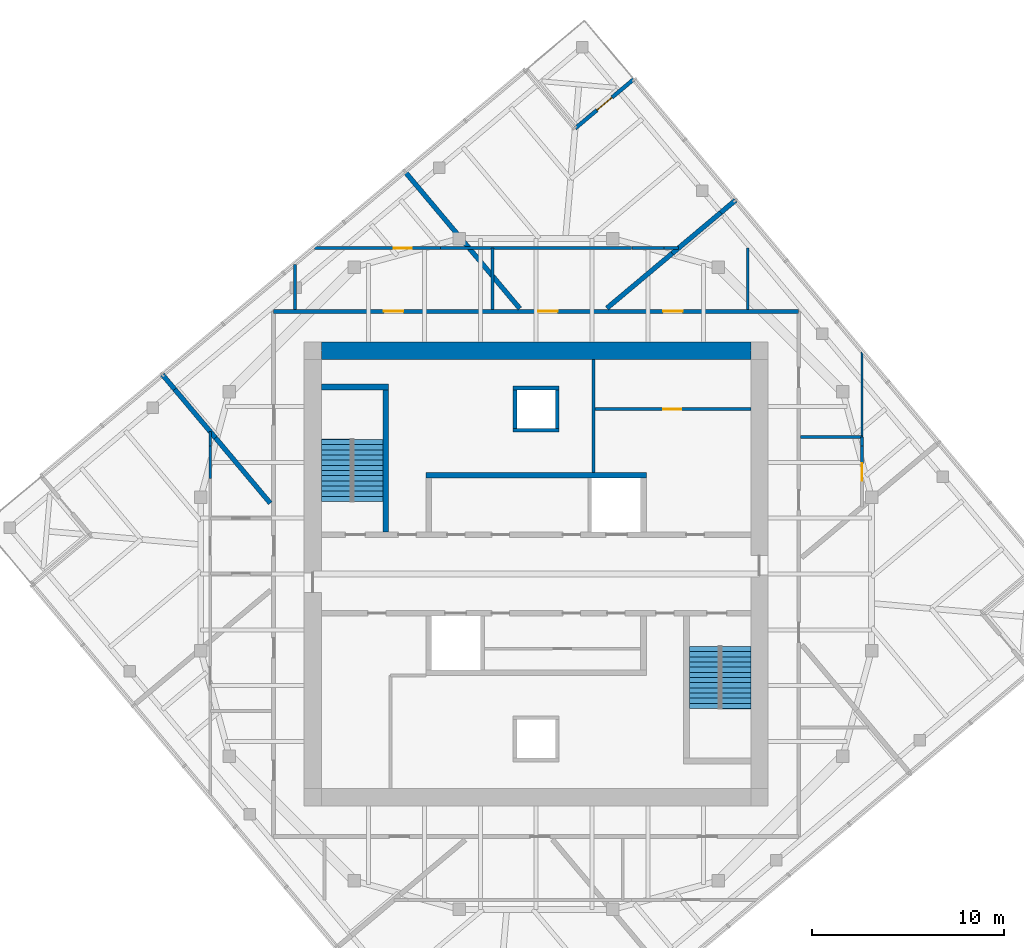
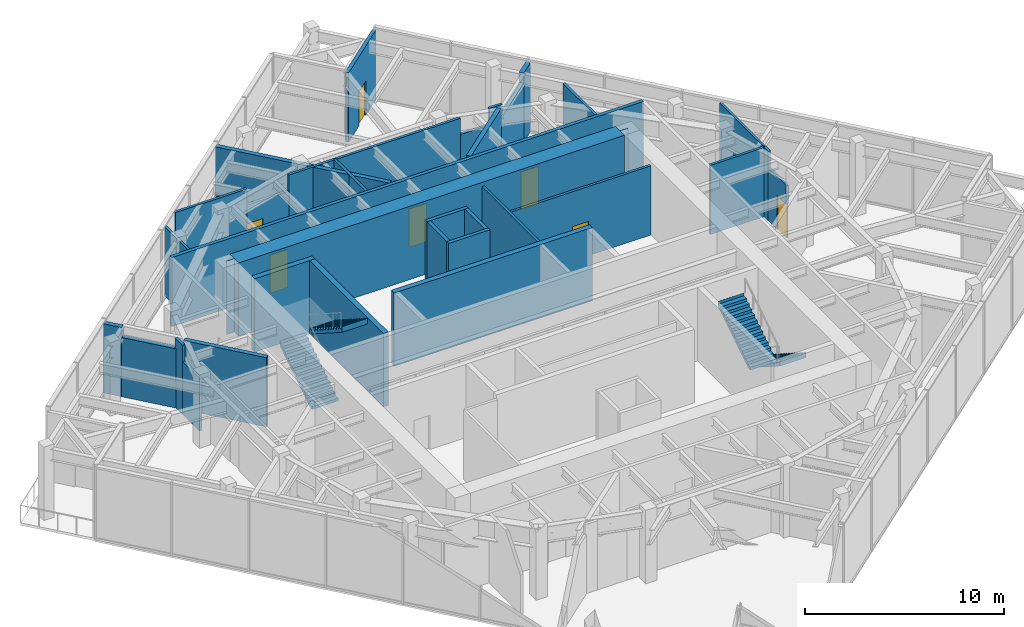
# One storey, part 10 of 11: 33 walls, 7 doors, 4 stair flights, 7 openings, 2 elements without a shape of their own.
"""IFC4 building model written with IfcOpenShell, lengths in metres."""

import ifcopenshell
import ifcopenshell.guid

model = None  # the IFC model being written
_history = None  # IfcOwnerHistory: only IFC2X3 demands one
_inside = {}  # id of a spatial element -> (the spatial element, [elements in it])
_under = {}  # id of a project, library or spatial element -> (it, [spatial elements below it])
_declared = {}  # id of a project -> (the project, [libraries it declares])
_typed = {}  # id of a type object -> (the type object, [elements of that type])
_made_of = {}  # id of a material, layer set ... -> (it, [elements and type objects made of it])


def new_model(schema):
    """Start an empty IFC model of exactly this schema.

    Asked for "IFC4X3", IfcOpenShell would pick the latest addendum, in which some entities
    have other attributes; the version numbers below select the first issue.
    IFC2X3 requires an IfcOwnerHistory on every rooted entity: one is made here for all.
    """
    global model, _history
    if schema == "IFC4X3":
        model = ifcopenshell.file(schema_version=(4, 3, 0, 0))
    else:
        model = ifcopenshell.file(schema=schema)
    _inside.clear()
    _under.clear()
    _declared.clear()
    _typed.clear()
    _made_of.clear()
    _history = None
    if model.schema == "IFC2X3":
        org = make("IfcOrganization", Name="unknown")
        user = make(
            "IfcPersonAndOrganization",
            ThePerson=make("IfcPerson", FamilyName="unknown"),
            TheOrganization=org,
        )
        app = make(
            "IfcApplication",
            ApplicationDeveloper=org,
            Version="unknown",
            ApplicationFullName="unknown",
            ApplicationIdentifier="unknown",
        )
        _history = make(
            "IfcOwnerHistory",
            OwningUser=user,
            OwningApplication=app,
            ChangeAction="ADDED",
            CreationDate=0,
        )
    return model


def make(cls, **values):
    """One entity of the class cls with the attributes given. An attribute that is None is left unset."""
    return model.create_entity(
        cls, **{name: value for name, value in values.items() if value is not None}
    )


def rooted(cls, **values):
    """An entity with a GlobalId (a new one), such as an element, a storey or a relation."""
    return make(cls, GlobalId=ifcopenshell.guid.new(), OwnerHistory=_history, **values)


def si_unit(unit_type, name, prefix=None):
    """IfcSIUnit, for example si_unit("LENGTHUNIT", "METRE", prefix="MILLI")."""
    return make("IfcSIUnit", UnitType=unit_type, Prefix=prefix, Name=name)


def assignment(units):
    """IfcUnitAssignment: the units of a project."""
    return None if units is None else make("IfcUnitAssignment", Units=units)


def point(xyz):
    """IfcCartesianPoint."""
    return None if xyz is None else make("IfcCartesianPoint", Coordinates=xyz)


def direction(xyz):
    """IfcDirection."""
    return None if xyz is None else make("IfcDirection", DirectionRatios=xyz)


def frame(location, z_axis=None, x_axis=None):
    """IfcAxis2Placement3D, a coordinate frame: its origin and axes. An axis left out is left unset."""
    return make(
        "IfcAxis2Placement3D",
        Location=point(location),
        Axis=direction(z_axis),
        RefDirection=direction(x_axis),
    )


def frame_2d(location, x_axis=None):
    """IfcAxis2Placement2D, a coordinate frame in the plane: its origin and x axis."""
    return make(
        "IfcAxis2Placement2D", Location=point(location), RefDirection=direction(x_axis)
    )


def origin():
    """The frame at (0, 0, 0) with its axes left unset."""
    return frame((0.0, 0.0, 0.0))


def place(relative_to, where):
    """IfcLocalPlacement: puts the frame where relative to a parent placement (None: the world)."""
    return make(
        "IfcLocalPlacement", PlacementRelTo=relative_to, RelativePlacement=where
    )


def context(
    kind, dimensions, precision=None, world=None, true_north=None, identifier=None
):
    """IfcGeometricRepresentationContext, for example the 3D "Model" context."""
    return make(
        "IfcGeometricRepresentationContext",
        ContextIdentifier=identifier,
        ContextType=kind,
        CoordinateSpaceDimension=dimensions,
        Precision=precision,
        WorldCoordinateSystem=world,
        TrueNorth=true_north,
    )


def subcontext(parent, identifier, kind, view, scale=None):
    """IfcGeometricRepresentationSubContext, for example "Body" below "Model"."""
    return make(
        "IfcGeometricRepresentationSubContext",
        ContextIdentifier=identifier,
        ContextType=kind,
        ParentContext=parent,
        TargetScale=scale,
        TargetView=view,
    )


def project(units=None, contexts=None):
    """IfcProject with its units and contexts."""
    return rooted(
        "IfcProject",
        Name="project",
        RepresentationContexts=contexts,
        UnitsInContext=assignment(units),
    )


def spatial(cls, under=None, at=None, **own):
    """A site, building, storey or space (cls), placed at a placement, below another one or the project."""
    s = rooted(cls, ObjectPlacement=at, **own)
    if under is not None:
        _under.setdefault(under.id(), (under, []))[1].append(s)
    return s


def polyline(points):
    """IfcPolyline through the points."""
    return make("IfcPolyline", Points=[point(p) for p in points])


def profile(cls, at=None, kind="AREA", **sizes):
    """A parametric profile (cls). Its sizes go by their IFC names, for example OverallWidth=200.0."""
    return make(cls, ProfileType=kind, Position=at, **sizes)


def rectangle(**sizes):
    """IfcRectangleProfileDef."""
    return profile("IfcRectangleProfileDef", **sizes)


def outline(outer, holes=None, kind="AREA"):
    """IfcArbitraryClosedProfileDef: a profile drawn as a closed curve; with holes, ...WithVoids."""
    if holes is None:
        return make("IfcArbitraryClosedProfileDef", ProfileType=kind, OuterCurve=outer)
    return make(
        "IfcArbitraryProfileDefWithVoids",
        ProfileType=kind,
        OuterCurve=outer,
        InnerCurves=holes,
    )


def extrude(swept, where, along, depth):
    """IfcExtrudedAreaSolid: the profile swept, set in the frame where, extruded along a direction by depth."""
    return make(
        "IfcExtrudedAreaSolid",
        SweptArea=swept,
        Position=where,
        ExtrudedDirection=direction(along),
        Depth=depth,
    )


def shape(context_of_items, identifier, shape_type, items):
    """IfcShapeRepresentation: the items that make up one representation, for example the "Body"."""
    return make(
        "IfcShapeRepresentation",
        ContextOfItems=context_of_items,
        RepresentationIdentifier=identifier,
        RepresentationType=shape_type,
        Items=items,
    )


def material(Name=None, Category=None):
    """IfcMaterial."""
    return make("IfcMaterial", Name=Name, Category=Category)


def layer(
    of_material, thickness, ventilated=None, Name=None, Category=None, Priority=None
):
    """IfcMaterialLayer: one layer of a wall or slab, of a material (None: an air gap)."""
    return make(
        "IfcMaterialLayer",
        Material=of_material,
        LayerThickness=thickness,
        IsVentilated=ventilated,
        Name=Name,
        Category=Category,
        Priority=Priority,
    )


def layer_set(layers, Name=None):
    """IfcMaterialLayerSet."""
    return make("IfcMaterialLayerSet", MaterialLayers=layers, LayerSetName=Name)


def made_of(thing, what):
    """Note that an element or type object is made of a material, layer set ...; save() writes the relation."""
    if what is not None:
        _made_of.setdefault(what.id(), (what, []))[1].append(thing)
    return thing


def type_object(cls, material=None, **own):
    """A type object (cls), such as IfcWallType, which elements share."""
    return made_of(rooted(cls, **own), material)


def element(
    cls,
    number,
    at=None,
    inside=None,
    cuts=None,
    type_object=None,
    material=None,
    context=None,
    identifier="Body",
    shape_type=None,
    held_by="IfcProductDefinitionShape",
    body=None,
    shapes=None,
    **own,
):
    """One element of the class cls, such as IfcWall. Its Tag is "e" and its number.

    at: its placement. inside: the storey or other place that contains it. cuts: it is an
    opening in that element (IfcRelVoidsElement). A single representation is given by context,
    identifier, shape_type and body (its items); several are given by shapes. held_by: the class
    of the entity that holds the representations. save() writes the other relations.
    """
    e = rooted(cls, Tag="e%d" % number, ObjectPlacement=at, **own)
    if body is not None:
        shapes = [shape(context, identifier, shape_type, body)]
    if shapes is not None:
        e.Representation = make(held_by, Representations=shapes)
    if inside is not None:
        _inside.setdefault(inside.id(), (inside, []))[1].append(e)
    if cuts is not None:
        rooted(
            "IfcRelVoidsElement", RelatingBuildingElement=cuts, RelatedOpeningElement=e
        )
    if type_object is not None:
        _typed.setdefault(type_object.id(), (type_object, []))[1].append(e)
    return made_of(e, material)


def fill(opening, filler):
    """IfcRelFillsElement: the door or window that sits in an opening."""
    return rooted(
        "IfcRelFillsElement",
        RelatingOpeningElement=opening,
        RelatedBuildingElement=filler,
    )


def aggregate(whole, parts):
    """IfcRelAggregates: a whole, such as a stair, and the parts it consists of."""
    return rooted("IfcRelAggregates", RelatingObject=whole, RelatedObjects=parts)


def save(model, path):
    """Write the relations noted so far, then the file.

    IfcRelAggregates (storeys below a building ...), IfcRelContainedInSpatialStructure (elements
    in a storey), IfcRelDefinesByType, IfcRelAssociatesMaterial and IfcRelDeclares: one each for
    every whole, place, type object, material and project.
    """
    for whole, parts in _under.values():
        aggregate(whole, parts)
    for where, things in _inside.values():
        rooted(
            "IfcRelContainedInSpatialStructure",
            RelatedElements=things,
            RelatingStructure=where,
        )
    for kind, things in _typed.values():
        rooted("IfcRelDefinesByType", RelatedObjects=things, RelatingType=kind)
    for what, things in _made_of.values():
        rooted("IfcRelAssociatesMaterial", RelatedObjects=things, RelatingMaterial=what)
    for by, libraries in _declared.values():
        rooted("IfcRelDeclares", RelatingContext=by, RelatedDefinitions=libraries)
    model.write(path)


model = new_model("IFC4")

# Units and contexts
model_context = context("Model", 3, precision=1e-05, world=origin(), true_north=direction((0.0, 1.0)))
body_context = subcontext(model_context, "Body", "Model", "MODEL_VIEW")
ifc_project = project(units=[si_unit("LENGTHUNIT", "METRE"), si_unit("AREAUNIT", "SQUARE_METRE"), si_unit("VOLUMEUNIT", "CUBIC_METRE"), si_unit("PLANEANGLEUNIT", "RADIAN"), si_unit("MASSUNIT", "GRAM", prefix="KILO")], contexts=[model_context])

# Site, building, storey
site_placement = place(None, origin())
site = spatial("IfcSite", under=ifc_project, at=site_placement, CompositionType="ELEMENT")
building_placement = place(site_placement, origin())
building = spatial("IfcBuilding", under=site, at=building_placement, Name="Torsade Residences", CompositionType="ELEMENT")
storey_placement = place(building_placement, frame((0.0, 0.0, 304.300048828125)))
storey = spatial("IfcBuildingStorey", under=building, at=storey_placement, Name="L84", CompositionType="ELEMENT", Elevation=304.300048828125)

# Walls
ifc_material_1 = material(Name="Concrete 80 MPa", Category="concrete")
ifc_layer_1 = layer(ifc_material_1, 0.300048828125)
ifc_layer_set_1 = layer_set([ifc_layer_1], Name="Concrete 80 MPa")
wall_type_1 = type_object("IfcWallType", Name="CORE INTERNAL WALL 300", PredefinedType="SHEAR", material=ifc_layer_set_1)
wall_1_placement = place(storey_placement, frame((34.25, 35.14990234375, 0.0), z_axis=(0.0, 0.0, 1.0), x_axis=(1.0, 0.0, 0.0)))
element("IfcWall", 1, at=wall_1_placement, inside=storey, type_object=wall_type_1, Name="Core wall BN L84", PredefinedType="SHEAR", context=body_context, shape_type="SweptSolid", body=[
    extrude(rectangle(XDim=11.5, YDim=0.300048828125, at=frame_2d((5.75, 0.0))), origin(), (0.0, 0.0, 1.0), 4.5),
])
wall_2_placement = place(storey_placement, frame((32.14990234375, 32.199951171875, 0.0), z_axis=(0.0, 0.0, 1.0), x_axis=(0.0, 1.0, 0.0)))
element("IfcWall", 2, at=wall_2_placement, inside=storey, type_object=wall_type_1, Name="Core wall ST1E L84", PredefinedType="SHEAR", context=body_context, shape_type="SweptSolid", body=[
    extrude(rectangle(XDim=7.699951171875, YDim=0.300048828125, at=frame_2d((3.85009765625, 0.0))), origin(), (0.0, 0.0, 1.0), 4.5),
])
wall_3_placement = place(storey_placement, frame((28.800048828125, 39.75, 0.0), z_axis=(0.0, 0.0, 1.0), x_axis=(1.0, 0.0, 0.0)))
element("IfcWall", 3, at=wall_3_placement, inside=storey, type_object=wall_type_1, Name="Core wall ST1N L84", PredefinedType="SHEAR", context=body_context, shape_type="SweptSolid", body=[
    extrude(rectangle(XDim=3.5, YDim=0.300048828125, at=frame_2d((1.75, 0.0))), origin(), (0.0, 0.0, 1.0), 4.5),
])
ifc_material_2 = material(Name="Concrete 80 MPa", Category="concrete")
ifc_layer_2 = layer(ifc_material_2, 0.89990234375)
ifc_layer_set_2 = layer_set([ifc_layer_2], Name="Concrete 80 MPa")
wall_type_2 = type_object("IfcWallType", Name="CORE WALL 900", PredefinedType="SHEAR", material=ifc_layer_set_2)
wall_4_placement = place(storey_placement, frame((28.800048828125, 41.64990234375, 0.0), z_axis=(0.0, 0.0, 1.0), x_axis=(1.0, 0.0, 0.0)))
element("IfcWall", 4, at=wall_4_placement, inside=storey, type_object=wall_type_2, Name="Core wall N L84", PredefinedType="SHEAR", context=body_context, shape_type="SweptSolid", body=[
    extrude(outline(polyline([(0.0, -0.449951171875), (22.39990234375, -0.449951171875), (22.39990234375, -0.02490234375), (22.849853515625, -0.02490234375), (22.849853515625, 0.02490234375), (22.39990234375, 0.02490234375), (22.39990234375, 0.449951171875), (0.0, 0.449951171875), (0.0, 0.02490234375), (-0.449951171875, 0.02490234375), (-0.449951171875, -0.02490234375), (0.0, -0.02490234375), (0.0, -0.449951171875)])), origin(), (0.0, 0.0, 1.0), 4.5),
])

# Wall, openings, doors
ifc_material_3 = material(Name="Plasterboard on steel stud", Category="steel")
ifc_layer_3 = layer(ifc_material_3, 0.199951171875)
ifc_layer_set_3 = layer_set([ifc_layer_3], Name="Plasterboard on steel stud")
wall_type_3 = type_object("IfcWallType", Name="CORRIDOR WALL 200", PredefinedType="PARTITIONING", material=ifc_layer_set_3)
wall_5_placement = place(storey_placement, frame((53.699951171875, 43.699951171875, 0.0), z_axis=(0.0, 0.0, 1.0), x_axis=(-1.0, 0.0, 0.0)))
wall_5 = element("IfcWall", 5, at=wall_5_placement, inside=storey, type_object=wall_type_3, Name="Corridor wall L84", PredefinedType="PARTITIONING", context=body_context, shape_type="SweptSolid", body=[
    extrude(rectangle(XDim=27.39990234375, YDim=0.199951171875, at=frame_2d((13.699951171875, 0.0))), origin(), (0.0, 0.0, 1.0), 4.25),
])
opening_1_placement = place(wall_5_placement, frame((20.621337890625, 0.0, 0.0)))
opening_1 = element("IfcOpeningElement", 6, at=opening_1_placement, cuts=wall_5, Name="Opening D01", PredefinedType="OPENING", context=body_context, shape_type="SweptSolid", body=[
    extrude(rectangle(XDim=1.02001953125, YDim=2.340087890625, at=frame_2d((0.510009765625, 1.169921875))), frame((0.0, 0.10986328125, 0.0), z_axis=(0.0, -1.0, 0.0), x_axis=(1.0, 0.0, 0.0)), (0.0, 0.0, 1.0), 0.219970703125),
])
opening_2_placement = place(wall_5_placement, frame((6.053466796875, 0.0, 0.0)))
opening_2 = element("IfcOpeningElement", 7, at=opening_2_placement, cuts=wall_5, Name="Opening D01", PredefinedType="OPENING", context=body_context, shape_type="SweptSolid", body=[
    extrude(rectangle(XDim=1.02001953125, YDim=2.340087890625, at=frame_2d((0.510009765625, 1.169921875))), frame((0.0, 0.10986328125, 0.0), z_axis=(0.0, -1.0, 0.0), x_axis=(1.0, 0.0, 0.0)), (0.0, 0.0, 1.0), 0.219970703125),
])
opening_3_placement = place(wall_5_placement, frame((12.573974609375, 0.0, 0.0)))
opening_3 = element("IfcOpeningElement", 8, at=opening_3_placement, cuts=wall_5, Name="Opening D01", PredefinedType="OPENING", context=body_context, shape_type="SweptSolid", body=[
    extrude(rectangle(XDim=1.02001953125, YDim=2.340087890625, at=frame_2d((0.510009765625, 1.169921875))), frame((0.0, 0.10986328125, 0.0), z_axis=(0.0, -1.0, 0.0), x_axis=(1.0, 0.0, 0.0)), (0.0, 0.0, 1.0), 0.219970703125),
])
ifc_material_4 = material(Name="Solid-core timber fire door", Category="wood")
door_type_1 = type_object("IfcDoorType", Name="APARTMENT ENTRY DOOR 1020x2340", OperationType="NOTDEFINED", PredefinedType="DOOR", material=ifc_material_4)
door_1_placement = place(opening_1_placement, origin())
door_1 = element("IfcDoor", 9, at=door_1_placement, inside=storey, type_object=door_type_1, Name="Door Plant corridor to Plant cupboard", OperationType="SINGLE_SWING_LEFT", OverallHeight=2.340087890625, OverallWidth=1.02001953125, PredefinedType="DOOR", context=body_context, shape_type="SweptSolid", body=[
    extrude(rectangle(XDim=1.02001953125, YDim=2.340087890625, at=frame_2d((0.510009765625, 1.169921875))), frame((0.0, 0.02490234375, 0.0), z_axis=(0.0, -1.0, 0.0), x_axis=(1.0, 0.0, 0.0)), (0.0, 0.0, 1.0), 0.050048828125),
])
fill(opening_1, door_1)
door_2_placement = place(opening_2_placement, origin())
door_2 = element("IfcDoor", 10, at=door_2_placement, inside=storey, type_object=door_type_1, Name="Door Plant corridor to Plant cupboard", OperationType="SINGLE_SWING_RIGHT", OverallHeight=2.340087890625, OverallWidth=1.02001953125, PredefinedType="DOOR", context=body_context, shape_type="SweptSolid", body=[
    extrude(rectangle(XDim=1.02001953125, YDim=2.340087890625, at=frame_2d((0.510009765625, 1.169921875))), frame((0.0, 0.02490234375, 0.0), z_axis=(0.0, -1.0, 0.0), x_axis=(1.0, 0.0, 0.0)), (0.0, 0.0, 1.0), 0.050048828125),
])
fill(opening_2, door_2)
door_3_placement = place(opening_3_placement, origin())
door_3 = element("IfcDoor", 11, at=door_3_placement, inside=storey, type_object=door_type_1, Name="Door Plant corridor to Store", OperationType="SINGLE_SWING_RIGHT", OverallHeight=2.340087890625, OverallWidth=1.02001953125, PredefinedType="DOOR", context=body_context, shape_type="SweptSolid", body=[
    extrude(rectangle(XDim=1.02001953125, YDim=2.340087890625, at=frame_2d((0.510009765625, 1.169921875))), frame((0.0, 0.02490234375, 0.0), z_axis=(0.0, -1.0, 0.0), x_axis=(1.0, 0.0, 0.0)), (0.0, 0.0, 1.0), 0.050048828125),
])
fill(opening_3, door_3)

# Walls
ifc_material_5 = material(Name="Plasterboard on steel stud", Category="steel")
ifc_layer_4 = layer(ifc_material_5, 0.1201171875)
ifc_layer_set_4 = layer_set([ifc_layer_4], Name="Plasterboard on steel stud")
wall_type_4 = type_object("IfcWallType", Name="PARTITION 120", PredefinedType="PARTITIONING", material=ifc_layer_set_4)
wall_6_placement = place(storey_placement, frame((57.0, 41.5703125, 0.0), z_axis=(0.0, 0.0, 1.0), x_axis=(0.0, -1.0, 0.0)))
element("IfcWall", 12, at=wall_6_placement, inside=storey, type_object=wall_type_4, Name="Partition L84", PredefinedType="PARTITIONING", context=body_context, shape_type="SweptSolid", body=[
    extrude(rectangle(XDim=4.43212890625, YDim=0.1201171875, at=frame_2d((2.216064453125, 0.0))), origin(), (0.0, 0.0, 1.0), 4.25),
])
ifc_material_6 = material(Name="Masonry-lined stud party wall", Category="masonry")
ifc_layer_5 = layer(ifc_material_6, 0.25)
ifc_layer_set_5 = layer_set([ifc_layer_5], Name="Masonry-lined stud party wall")
wall_type_5 = type_object("IfcWallType", Name="PARTY WALL 250", PredefinedType="PARTITIONING", material=ifc_layer_set_5)
wall_7_placement = place(storey_placement, frame((50.40087890625, 49.4970703125, 0.0), z_axis=(0.0, 0.0, 1.0), x_axis=(-0.766055819685, -0.64277405138, 0.0)))
element("IfcWall", 13, at=wall_7_placement, inside=storey, type_object=wall_type_5, Name="Party wall L84", PredefinedType="PARTITIONING", context=body_context, shape_type="SweptSolid", body=[
    extrude(rectangle(XDim=1.0, YDim=0.25, at=frame_2d((0.5, 0.0))), origin(), (0.0, 0.0, 1.0), 4.25),
])
wall_8_placement = place(storey_placement, frame((49.634765625, 48.854248046875, 0.0), z_axis=(0.0, 0.0, 1.0), x_axis=(-0.766014492995, -0.642823301165, 0.0)))
element("IfcWall", 14, at=wall_8_placement, inside=storey, type_object=wall_type_5, Name="Party wall L84", PredefinedType="PARTITIONING", context=body_context, shape_type="SweptSolid", body=[
    extrude(rectangle(XDim=3.3076171875, YDim=0.25, at=frame_2d((1.65380859375, 0.0))), origin(), (0.0, 0.0, 1.0), 3.637939453125),
])
wall_9_placement = place(storey_placement, frame((47.10107421875, 46.72802734375, 0.0), z_axis=(0.0, 0.0, 1.0), x_axis=(-0.766051985436, -0.642778620996, 0.0)))
element("IfcWall", 15, at=wall_9_placement, inside=storey, type_object=wall_type_5, Name="Party wall L84", PredefinedType="PARTITIONING", context=body_context, shape_type="SweptSolid", body=[
    extrude(rectangle(XDim=4.4462890625, YDim=0.25, at=frame_2d((2.22314453125, 0.0))), origin(), (0.0, 0.0, 1.0), 4.25),
])
wall_10_placement = place(storey_placement, frame((33.142822265625, 51.0068359375, 0.0), z_axis=(0.0, 0.0, 1.0), x_axis=(0.64278692291, -0.766045019392, 0.0)))
element("IfcWall", 16, at=wall_10_placement, inside=storey, type_object=wall_type_5, Name="Party wall L84", PredefinedType="PARTITIONING", context=body_context, shape_type="SweptSolid", body=[
    extrude(rectangle(XDim=9.343017578125, YDim=0.25, at=frame_2d((4.67138671875, 0.0))), origin(), (0.0, 0.0, 1.0), 4.25),
])
wall_11_placement = place(storey_placement, frame((20.5029296875, 40.40087890625, 0.0), z_axis=(0.0, 0.0, 1.0), x_axis=(0.64277405138, -0.766055819685, 0.0)))
element("IfcWall", 17, at=wall_11_placement, inside=storey, type_object=wall_type_5, Name="Party wall L84", PredefinedType="PARTITIONING", context=body_context, shape_type="SweptSolid", body=[
    extrude(rectangle(XDim=1.0, YDim=0.25, at=frame_2d((0.5, 0.0))), origin(), (0.0, 0.0, 1.0), 4.25),
])
wall_12_placement = place(storey_placement, frame((21.145751953125, 39.634765625, 0.0), z_axis=(0.0, 0.0, 1.0), x_axis=(0.642823301165, -0.766014492995, 0.0)))
element("IfcWall", 18, at=wall_12_placement, inside=storey, type_object=wall_type_5, Name="Party wall L84", PredefinedType="PARTITIONING", context=body_context, shape_type="SweptSolid", body=[
    extrude(rectangle(XDim=3.3076171875, YDim=0.25, at=frame_2d((1.65380859375, 0.0))), origin(), (0.0, 0.0, 1.0), 3.637939453125),
])
wall_13_placement = place(storey_placement, frame((23.27197265625, 37.10107421875, 0.0), z_axis=(0.0, 0.0, 1.0), x_axis=(0.642778620996, -0.766051985436, 0.0)))
element("IfcWall", 19, at=wall_13_placement, inside=storey, type_object=wall_type_5, Name="Party wall L84", PredefinedType="PARTITIONING", context=body_context, shape_type="SweptSolid", body=[
    extrude(rectangle(XDim=4.4462890625, YDim=0.25, at=frame_2d((2.22314453125, 0.0))), origin(), (0.0, 0.0, 1.0), 4.25),
])

# Wall, opening, door
ifc_material_7 = material(Name="Stone-faced precast concrete 40 MPa panel", Category="masonry")
ifc_layer_6 = layer(ifc_material_7, 0.199951171875)
ifc_layer_set_6 = layer_set([ifc_layer_6], Name="Stone-faced precast concrete 40 MPa panel")
wall_type_6 = type_object("IfcWallType", Name="PLANT ROOM EXTERNAL WALL 200", PredefinedType="SOLIDWALL", material=ifc_layer_set_6)
wall_14_placement = place(storey_placement, frame((45.097900390625, 55.81689453125, 0.0), z_axis=(0.0, 0.0, 1.0), x_axis=(-0.766060656284, -0.642768287094, 0.0)))
wall_14 = element("IfcWall", 20, at=wall_14_placement, inside=storey, type_object=wall_type_6, Name="Plant room wall L84 5", PredefinedType="SOLIDWALL", context=body_context, shape_type="SweptSolid", body=[
    extrude(rectangle(XDim=4.0, YDim=0.199951171875, at=frame_2d((2.0, 0.0))), origin(), (0.0, 0.0, 1.0), 4.25),
])
opening_4_placement = place(wall_14_placement, frame((1.489990234375, 0.0, 0.0)))
opening_4 = element("IfcOpeningElement", 21, at=opening_4_placement, cuts=wall_14, Name="Opening D11", PredefinedType="OPENING", context=body_context, shape_type="SweptSolid", body=[
    extrude(rectangle(XDim=1.02001953125, YDim=2.10009765625, at=frame_2d((0.510009765625, 1.050048828125))), frame((0.0, 0.10986328125, 0.0), z_axis=(0.0, -1.0, 0.0), x_axis=(1.0, 0.0, 0.0)), (0.0, 0.0, 1.0), 0.219970703125),
])
ifc_material_8 = material(Name="Steel-framed external door", Category="steel")
door_type_2 = type_object("IfcDoorType", Name="MAINTENANCE ROOF DOOR 1020", OperationType="NOTDEFINED", PredefinedType="DOOR", material=ifc_material_8)
door_4_placement = place(opening_4_placement, origin())
door_4 = element("IfcDoor", 22, at=door_4_placement, inside=storey, type_object=door_type_2, Name="Terrace maintenance door L84 5", OperationType="SINGLE_SWING_LEFT", OverallHeight=2.10009765625, OverallWidth=1.02001953125, PredefinedType="DOOR", context=body_context, shape_type="SweptSolid", body=[
    extrude(rectangle(XDim=1.02001953125, YDim=2.10009765625, at=frame_2d((0.510009765625, 1.050048828125))), frame((0.0, 0.02490234375, 0.0), z_axis=(0.0, -1.0, 0.0), x_axis=(1.0, 0.0, 0.0)), (0.0, 0.0, 1.0), 0.050048828125),
])
fill(opening_4, door_4)

# Walls
ifc_material_9 = material(Name="Reinforced blockwork", Category="masonry")
ifc_layer_7 = layer(ifc_material_9, 0.199951171875)
ifc_layer_set_7 = layer_set([ifc_layer_7], Name="Reinforced blockwork")
wall_type_7 = type_object("IfcWallType", Name="RISER SHAFT WALL 200", PredefinedType="SOLIDWALL", material=ifc_layer_set_7)
for number, where, z_axis, x_axis, name in (
    (23, (38.89990234375, 37.60009765625, 0.0), (0.0, 0.0, 1.0), (0.0, 1.0, 0.0), "Core wall RS1a L84"),
    (24, (41.10009765625, 37.60009765625, 0.0), (0.0, 0.0, 1.0), (0.0, 1.0, 0.0), "Core wall RS1b L84"),
):
    element("IfcWall", number, at=place(storey_placement, frame(where, z_axis=z_axis, x_axis=x_axis)), inside=storey, type_object=wall_type_7, Name=name, PredefinedType="SOLIDWALL", context=body_context, shape_type="SweptSolid", body=[
        extrude(rectangle(XDim=2.0, YDim=0.199951171875, at=frame_2d((1.0, 0.0))), origin(), (0.0, 0.0, 1.0), 4.5),
    ])
for number, where, z_axis, x_axis, name in (
    (25, (38.800048828125, 37.5, 0.0), (0.0, 0.0, 1.0), (1.0, 0.0, 0.0), "Core wall RS1c L84"),
    (26, (38.800048828125, 39.699951171875, 0.0), (0.0, 0.0, 1.0), (1.0, 0.0, 0.0), "Core wall RS1d L84"),
):
    element("IfcWall", number, at=place(storey_placement, frame(where, z_axis=z_axis, x_axis=x_axis)), inside=storey, type_object=wall_type_7, Name=name, PredefinedType="SOLIDWALL", context=body_context, shape_type="SweptSolid", body=[
        extrude(rectangle(XDim=2.39990234375, YDim=0.199951171875, at=frame_2d((1.199951171875, 0.0))), origin(), (0.0, 0.0, 1.0), 4.5),
    ])
ifc_material_10 = material(Name="Reinforced blockwork", Category="masonry")
ifc_layer_8 = layer(ifc_material_10, 0.14990234375)
ifc_layer_set_8 = layer_set([ifc_layer_8], Name="Reinforced blockwork")
wall_type_8 = type_object("IfcWallType", Name="SERVICE ROOM WALL 150", PredefinedType="SOLIDWALL", material=ifc_layer_set_8)
wall_15_placement = place(storey_placement, frame((43.0, 41.199951171875, 0.0), z_axis=(0.0, 0.0, 1.0), x_axis=(0.0, -1.0, 0.0)))
element("IfcWall", 27, at=wall_15_placement, inside=storey, type_object=wall_type_8, Name="Service room wall L84", PredefinedType="SOLIDWALL", context=body_context, shape_type="SweptSolid", body=[
    extrude(rectangle(XDim=5.89990234375, YDim=0.14990234375, at=frame_2d((2.949951171875, 0.0))), origin(), (0.0, 0.0, 1.0), 4.25),
])

# Wall, opening, door
wall_16_placement = place(storey_placement, frame((43.0, 38.60009765625, 0.0), z_axis=(0.0, 0.0, 1.0), x_axis=(1.0, 0.0, 0.0)))
wall_16 = element("IfcWall", 28, at=wall_16_placement, inside=storey, type_object=wall_type_8, Name="Service room wall L84", PredefinedType="SOLIDWALL", context=body_context, shape_type="SweptSolid", body=[
    extrude(rectangle(XDim=8.199951171875, YDim=0.14990234375, at=frame_2d((4.10009765625, 0.0))), origin(), (0.0, 0.0, 1.0), 4.25),
])
opening_5_placement = place(wall_16_placement, frame((3.639892578125, 0.0, 0.0)))
opening_5 = element("IfcOpeningElement", 29, at=opening_5_placement, cuts=wall_16, Name="Opening D06", PredefinedType="OPENING", context=body_context, shape_type="SweptSolid", body=[
    extrude(rectangle(XDim=0.919921875, YDim=2.10009765625, at=frame_2d((0.4599609375, 1.050048828125))), frame((0.0, 0.0849609375, 0.0), z_axis=(0.0, -1.0, 0.0), x_axis=(1.0, 0.0, 0.0)), (0.0, 0.0, 1.0), 0.169921875),
])
ifc_material_11 = material(Name="Steel-framed fire door", Category="steel")
door_type_3 = type_object("IfcDoorType", Name="FIRE DOOR 920", OperationType="NOTDEFINED", PredefinedType="DOOR", material=ifc_material_11)
door_5_placement = place(opening_5_placement, origin())
door_5 = element("IfcDoor", 30, at=door_5_placement, inside=storey, type_object=door_type_3, Name="Door Refuse room to Bulky waste store", OperationType="SINGLE_SWING_RIGHT", OverallHeight=2.10009765625, OverallWidth=0.919921875, PredefinedType="DOOR", context=body_context, shape_type="SweptSolid", body=[
    extrude(rectangle(XDim=0.919921875, YDim=2.10009765625, at=frame_2d((0.4599609375, 1.050048828125))), frame((0.0, 0.02490234375, 0.0), z_axis=(0.0, -1.0, 0.0), x_axis=(1.0, 0.0, 0.0)), (0.0, 0.0, 1.0), 0.050048828125),
])
fill(opening_5, door_5)

# Walls
wall_17_placement = place(storey_placement, frame((23.0, 34.98828125, 0.0), z_axis=(0.0, 0.0, 1.0), x_axis=(0.0, 1.0, 0.0)))
element("IfcWall", 31, at=wall_17_placement, inside=storey, type_object=wall_type_8, Name="Service room wall L84", PredefinedType="SOLIDWALL", context=body_context, shape_type="SweptSolid", body=[
    extrude(rectangle(XDim=1.690185546875, YDim=0.14990234375, at=frame_2d((0.84521484375, 0.0))), origin(), (0.0, 0.0, 1.0), 3.25),
])
wall_18_placement = place(storey_placement, frame((23.0, 36.678466796875, 0.0), z_axis=(0.0, 0.0, 1.0), x_axis=(0.0, 1.0, 0.0)))
element("IfcWall", 32, at=wall_18_placement, inside=storey, type_object=wall_type_8, Name="Service room wall L84", PredefinedType="SOLIDWALL", context=body_context, shape_type="SweptSolid", body=[
    extrude(rectangle(XDim=0.74658203125, YDim=0.14990234375, at=frame_2d((0.373291015625, 0.0))), origin(), (0.0, 0.0, 1.0), 4.25),
])
for number, where, z_axis, x_axis, name in (
    (33, (51.0390625, 43.800048828125, 0.0), (0.0, 0.0, 1.0), (0.0, 1.0, 0.0), "Service room wall L84"),
    (34, (57.0, 37.13818359375, 0.0), (0.0, 0.0, 1.0), (-1.0, 0.0, 0.0), "Service room wall L84"),
):
    element("IfcWall", number, at=place(storey_placement, frame(where, z_axis=z_axis, x_axis=x_axis)), inside=storey, type_object=wall_type_8, Name=name, PredefinedType="SOLIDWALL", context=body_context, shape_type="SweptSolid", body=[
        extrude(rectangle(XDim=3.199951171875, YDim=0.14990234375, at=frame_2d((1.60009765625, 0.0))), origin(), (0.0, 0.0, 1.0), 4.25),
    ])
wall_19_placement = place(storey_placement, frame((57.0, 37.13818359375, 0.0), z_axis=(0.0, 0.0, 1.0), x_axis=(0.0, -1.0, 0.0)))
element("IfcWall", 35, at=wall_19_placement, inside=storey, type_object=wall_type_8, Name="Service room wall L84", PredefinedType="SOLIDWALL", context=body_context, shape_type="SweptSolid", body=[
    extrude(rectangle(XDim=0.459716796875, YDim=0.14990234375, at=frame_2d((0.22998046875, 0.0))), origin(), (0.0, 0.0, 1.0), 4.25),
])

# Wall, opening, door
wall_20_placement = place(storey_placement, frame((57.0, 36.678466796875, 0.0), z_axis=(0.0, 0.0, 1.0), x_axis=(0.0, -1.0, 0.0)))
wall_20 = element("IfcWall", 36, at=wall_20_placement, inside=storey, type_object=wall_type_8, Name="Service room wall L84", PredefinedType="SOLIDWALL", context=body_context, shape_type="SweptSolid", body=[
    extrude(rectangle(XDim=1.82177734375, YDim=0.14990234375, at=frame_2d((0.910888671875, 0.0))), origin(), (0.0, 0.0, 1.0), 3.25),
])
opening_6_placement = place(wall_20_placement, frame((0.90185546875, 0.0, 0.0)))
opening_6 = element("IfcOpeningElement", 37, at=opening_6_placement, cuts=wall_20, Name="Opening D06", PredefinedType="OPENING", context=body_context, shape_type="SweptSolid", body=[
    extrude(rectangle(XDim=0.919921875, YDim=2.10009765625, at=frame_2d((0.4599609375, 1.050048828125))), frame((0.0, 0.0849609375, 0.0), z_axis=(0.0, -1.0, 0.0), x_axis=(1.0, 0.0, 0.0)), (0.0, 0.0, 1.0), 0.169921875),
])
door_6_placement = place(opening_6_placement, origin())
door_6 = element("IfcDoor", 38, at=door_6_placement, inside=storey, type_object=door_type_3, Name="Door Store to Smoke exhaust fan room", OperationType="SINGLE_SWING_RIGHT", OverallHeight=2.10009765625, OverallWidth=0.919921875, PredefinedType="DOOR", context=body_context, shape_type="SweptSolid", body=[
    extrude(rectangle(XDim=0.919921875, YDim=2.10009765625, at=frame_2d((0.4599609375, 1.050048828125))), frame((0.0, 0.02490234375, 0.0), z_axis=(0.0, -1.0, 0.0), x_axis=(1.0, 0.0, 0.0)), (0.0, 0.0, 1.0), 0.050048828125),
])
fill(opening_6, door_6)

# Walls
wall_21_placement = place(storey_placement, frame((27.417236328125, 46.150390625, 0.0), z_axis=(0.0, 0.0, 1.0), x_axis=(0.0, -1.0, 0.0)))
element("IfcWall", 39, at=wall_21_placement, inside=storey, type_object=wall_type_8, Name="Service room wall L84", PredefinedType="SOLIDWALL", context=body_context, shape_type="SweptSolid", body=[
    extrude(rectangle(XDim=2.350341796875, YDim=0.14990234375, at=frame_2d((1.17529296875, 0.0))), origin(), (0.0, 0.0, 1.0), 4.25),
])
wall_22_placement = place(storey_placement, frame((37.719970703125, 47.0, 0.0), z_axis=(0.0, 0.0, 1.0), x_axis=(0.0, -1.0, 0.0)))
element("IfcWall", 40, at=wall_22_placement, inside=storey, type_object=wall_type_8, Name="Service room wall L84", PredefinedType="SOLIDWALL", context=body_context, shape_type="SweptSolid", body=[
    extrude(rectangle(XDim=3.199951171875, YDim=0.14990234375, at=frame_2d((1.60009765625, 0.0))), origin(), (0.0, 0.0, 1.0), 4.25),
])
wall_23_placement = place(storey_placement, frame((28.4296875, 47.0, 0.0), z_axis=(0.0, 0.0, 1.0), x_axis=(1.0, 0.0, 0.0)))
element("IfcWall", 41, at=wall_23_placement, inside=storey, type_object=wall_type_8, Name="Service room wall L84", PredefinedType="SOLIDWALL", context=body_context, shape_type="SweptSolid", body=[
    extrude(rectangle(XDim=4.154052734375, YDim=0.14990234375, at=frame_2d((2.0771484375, 0.0))), origin(), (0.0, 0.0, 1.0), 4.25),
])

# Wall, opening, door
wall_24_placement = place(storey_placement, frame((32.583740234375, 47.0, 0.0), z_axis=(0.0, 0.0, 1.0), x_axis=(1.0, 0.0, 0.0)))
wall_24 = element("IfcWall", 42, at=wall_24_placement, inside=storey, type_object=wall_type_8, Name="Service room wall L84", PredefinedType="SOLIDWALL", context=body_context, shape_type="SweptSolid", body=[
    extrude(rectangle(XDim=2.427978515625, YDim=0.14990234375, at=frame_2d((1.2138671875, 0.0))), origin(), (0.0, 0.0, 1.0), 3.25),
])
opening_7_placement = place(wall_24_placement, origin())
opening_7 = element("IfcOpeningElement", 43, at=opening_7_placement, cuts=wall_24, Name="Opening D06", PredefinedType="OPENING", context=body_context, shape_type="SweptSolid", body=[
    extrude(rectangle(XDim=0.919921875, YDim=2.10009765625, at=frame_2d((0.4599609375, 1.050048828125))), frame((0.0, 0.0849609375, 0.0), z_axis=(0.0, -1.0, 0.0), x_axis=(1.0, 0.0, 0.0)), (0.0, 0.0, 1.0), 0.169921875),
])
door_7_placement = place(opening_7_placement, origin())
door_7 = element("IfcDoor", 44, at=door_7_placement, inside=storey, type_object=door_type_3, Name="Door Plant cupboard to Stair pressurisation fan room", OperationType="SINGLE_SWING_RIGHT", OverallHeight=2.10009765625, OverallWidth=0.919921875, PredefinedType="DOOR", context=body_context, shape_type="SweptSolid", body=[
    extrude(rectangle(XDim=0.919921875, YDim=2.10009765625, at=frame_2d((0.4599609375, 1.050048828125))), frame((0.0, 0.02490234375, 0.0), z_axis=(0.0, -1.0, 0.0), x_axis=(1.0, 0.0, 0.0)), (0.0, 0.0, 1.0), 0.050048828125),
])
fill(opening_7, door_7)

# Walls
wall_25_placement = place(storey_placement, frame((35.01171875, 47.0, 0.0), z_axis=(0.0, 0.0, 1.0), x_axis=(1.0, 0.0, 0.0)))
element("IfcWall", 45, at=wall_25_placement, inside=storey, type_object=wall_type_8, Name="Service room wall L84", PredefinedType="SOLIDWALL", context=body_context, shape_type="SweptSolid", body=[
    extrude(rectangle(XDim=9.9765625, YDim=0.14990234375, at=frame_2d((4.98828125, 0.0))), origin(), (0.0, 0.0, 1.0), 4.25),
])
wall_26_placement = place(storey_placement, frame((44.98828125, 47.0, 0.0), z_axis=(0.0, 0.0, 1.0), x_axis=(1.0, 0.0, 0.0)))
element("IfcWall", 46, at=wall_26_placement, inside=storey, type_object=wall_type_8, Name="Service room wall L84", PredefinedType="SOLIDWALL", context=body_context, shape_type="SweptSolid", body=[
    extrude(rectangle(XDim=1.690185546875, YDim=0.14990234375, at=frame_2d((0.84521484375, 0.0))), origin(), (0.0, 0.0, 1.0), 3.25),
])
wall_27_placement = place(storey_placement, frame((46.678466796875, 47.0, 0.0), z_axis=(0.0, 0.0, 1.0), x_axis=(1.0, 0.0, 0.0)))
element("IfcWall", 47, at=wall_27_placement, inside=storey, type_object=wall_type_8, Name="Service room wall L84", PredefinedType="SOLIDWALL", context=body_context, shape_type="SweptSolid", body=[
    extrude(rectangle(XDim=0.74658203125, YDim=0.14990234375, at=frame_2d((0.373291015625, 0.0))), origin(), (0.0, 0.0, 1.0), 4.25),
])

# Stair, stair flights
ifc_material_12 = material(Name="Precast concrete 40 MPa", Category="concrete")
stair_type = type_object("IfcStairType", Name="HALF-TURN FIRE STAIR 1500x4500", PredefinedType="HALF_TURN_STAIR", material=ifc_material_12)
stair_1_placement = place(storey_placement, origin())
stair_1 = element("IfcStair", 48, at=stair_1_placement, inside=storey, type_object=stair_type, Name="Stair ST1 L84", PredefinedType="HALF_TURN_STAIR")
ifc_material_13 = material(Name="Precast concrete 40 MPa", Category="concrete")
stair_flight_type = type_object("IfcStairFlightType", Name="PRECAST STAIR FLIGHT 1500x2250", PredefinedType="STRAIGHT", material=ifc_material_13)
stair_flight_1_placement = place(storey_placement, frame((29.550048828125, 33.780029296875, 0.0), z_axis=(0.0, 0.0, 1.0), x_axis=(0.0, 1.0, 0.0)))
stair_flight_1 = element("IfcStairFlight", 49, at=stair_flight_1_placement, type_object=stair_flight_type, Name="ST1 flight 1", NumberOfRisers=13, NumberOfTreads=12, PredefinedType="STRAIGHT", RiserHeight=0.173076923, TreadLength=0.27, context=body_context, shape_type="SweptSolid", body=[
    extrude(outline(polyline([(0.0, 0.0), (0.0, 0.173095703125), (0.27001953125, 0.173095703125), (0.27001953125, 0.34619140625), (0.5400390625, 0.34619140625), (0.5400390625, 0.519287109375), (0.81005859375, 0.519287109375), (0.81005859375, 0.6923828125), (1.080078125, 0.6923828125), (1.080078125, 0.865478515625), (1.35009765625, 0.865478515625), (1.35009765625, 1.03857421875), (1.6201171875, 1.03857421875), (1.6201171875, 1.21142578125), (1.889892578125, 1.21142578125), (1.889892578125, 1.384521484375), (2.159912109375, 1.384521484375), (2.159912109375, 1.5576171875), (2.429931640625, 1.5576171875), (2.429931640625, 1.730712890625), (2.699951171875, 1.730712890625), (2.699951171875, 1.90380859375), (2.969970703125, 1.90380859375), (2.969970703125, 2.076904296875), (3.239990234375, 2.076904296875), (3.239990234375, 2.25), (3.25, 2.25), (3.25, 1.89892578125), (3.239990234375, 1.89892578125), (0.27783203125, 0.0), (0.0, 0.0)])), frame((0.0, 0.75, 0.0), z_axis=(0.0, -1.0, 0.0), x_axis=(1.0, 0.0, 0.0)), (0.0, 0.0, 1.0), 1.5),
])
stair_flight_2_placement = place(storey_placement, frame((31.25, 37.02001953125, 2.25), z_axis=(0.0, 0.0, 1.0), x_axis=(0.0, -1.0, 0.0)))
stair_flight_2 = element("IfcStairFlight", 50, at=stair_flight_2_placement, type_object=stair_flight_type, Name="ST1 flight 2", NumberOfRisers=13, NumberOfTreads=12, PredefinedType="STRAIGHT", RiserHeight=0.173076923, TreadLength=0.27, context=body_context, shape_type="SweptSolid", body=[
    extrude(outline(polyline([(0.0, 0.0), (0.0, 0.173095703125), (0.27001953125, 0.173095703125), (0.27001953125, 0.34619140625), (0.5400390625, 0.34619140625), (0.5400390625, 0.519287109375), (0.81005859375, 0.519287109375), (0.81005859375, 0.6923828125), (1.080078125, 0.6923828125), (1.080078125, 0.865478515625), (1.35009765625, 0.865478515625), (1.35009765625, 1.03857421875), (1.6201171875, 1.03857421875), (1.6201171875, 1.21142578125), (1.889892578125, 1.21142578125), (1.889892578125, 1.384521484375), (2.159912109375, 1.384521484375), (2.159912109375, 1.5576171875), (2.429931640625, 1.5576171875), (2.429931640625, 1.730712890625), (2.699951171875, 1.730712890625), (2.699951171875, 1.90380859375), (2.969970703125, 1.90380859375), (2.969970703125, 2.076904296875), (3.239990234375, 2.076904296875), (3.239990234375, 2.25), (3.25, 2.25), (3.25, 1.89892578125), (3.239990234375, 1.89892578125), (0.27783203125, 0.0), (0.0, 0.0)])), frame((0.0, 0.75, 0.0), z_axis=(0.0, -1.0, 0.0), x_axis=(1.0, 0.0, 0.0)), (0.0, 0.0, 1.0), 1.5),
])
aggregate(stair_1, [stair_flight_1, stair_flight_2])

stair_2_placement = place(storey_placement, origin())
stair_2 = element("IfcStair", 51, at=stair_2_placement, inside=storey, type_object=stair_type, Name="Stair ST2 L84", PredefinedType="HALF_TURN_STAIR")
stair_flight_3_placement = place(storey_placement, frame((50.449951171875, 26.219970703125, 0.0), z_axis=(0.0, 0.0, 1.0), x_axis=(0.0, -1.0, 0.0)))
stair_flight_3 = element("IfcStairFlight", 52, at=stair_flight_3_placement, type_object=stair_flight_type, Name="ST2 flight 1", NumberOfRisers=13, NumberOfTreads=12, PredefinedType="STRAIGHT", RiserHeight=0.173076923, TreadLength=0.27, context=body_context, shape_type="SweptSolid", body=[
    extrude(outline(polyline([(0.0, 0.0), (0.0, 0.173095703125), (0.27001953125, 0.173095703125), (0.27001953125, 0.34619140625), (0.5400390625, 0.34619140625), (0.5400390625, 0.519287109375), (0.81005859375, 0.519287109375), (0.81005859375, 0.6923828125), (1.080078125, 0.6923828125), (1.080078125, 0.865478515625), (1.35009765625, 0.865478515625), (1.35009765625, 1.03857421875), (1.6201171875, 1.03857421875), (1.6201171875, 1.21142578125), (1.889892578125, 1.21142578125), (1.889892578125, 1.384521484375), (2.159912109375, 1.384521484375), (2.159912109375, 1.5576171875), (2.429931640625, 1.5576171875), (2.429931640625, 1.730712890625), (2.699951171875, 1.730712890625), (2.699951171875, 1.90380859375), (2.969970703125, 1.90380859375), (2.969970703125, 2.076904296875), (3.239990234375, 2.076904296875), (3.239990234375, 2.25), (3.25, 2.25), (3.25, 1.89892578125), (3.239990234375, 1.89892578125), (0.27783203125, 0.0), (0.0, 0.0)])), frame((0.0, 0.75, 0.0), z_axis=(0.0, -1.0, 0.0), x_axis=(1.0, 0.0, 0.0)), (0.0, 0.0, 1.0), 1.5),
])
stair_flight_4_placement = place(storey_placement, frame((48.75, 22.97998046875, 2.25), z_axis=(0.0, 0.0, 1.0), x_axis=(0.0, 1.0, 0.0)))
stair_flight_4 = element("IfcStairFlight", 53, at=stair_flight_4_placement, type_object=stair_flight_type, Name="ST2 flight 2", NumberOfRisers=13, NumberOfTreads=12, PredefinedType="STRAIGHT", RiserHeight=0.173076923, TreadLength=0.27, context=body_context, shape_type="SweptSolid", body=[
    extrude(outline(polyline([(0.0, 0.0), (0.0, 0.173095703125), (0.27001953125, 0.173095703125), (0.27001953125, 0.34619140625), (0.5400390625, 0.34619140625), (0.5400390625, 0.519287109375), (0.81005859375, 0.519287109375), (0.81005859375, 0.6923828125), (1.080078125, 0.6923828125), (1.080078125, 0.865478515625), (1.35009765625, 0.865478515625), (1.35009765625, 1.03857421875), (1.6201171875, 1.03857421875), (1.6201171875, 1.21142578125), (1.889892578125, 1.21142578125), (1.889892578125, 1.384521484375), (2.159912109375, 1.384521484375), (2.159912109375, 1.5576171875), (2.429931640625, 1.5576171875), (2.429931640625, 1.730712890625), (2.699951171875, 1.730712890625), (2.699951171875, 1.90380859375), (2.969970703125, 1.90380859375), (2.969970703125, 2.076904296875), (3.239990234375, 2.076904296875), (3.239990234375, 2.25), (3.25, 2.25), (3.25, 1.89892578125), (3.239990234375, 1.89892578125), (0.27783203125, 0.0), (0.0, 0.0)])), frame((0.0, 0.75, 0.0), z_axis=(0.0, -1.0, 0.0), x_axis=(1.0, 0.0, 0.0)), (0.0, 0.0, 1.0), 1.5),
])
aggregate(stair_2, [stair_flight_3, stair_flight_4])

save(model, "model.ifc")
